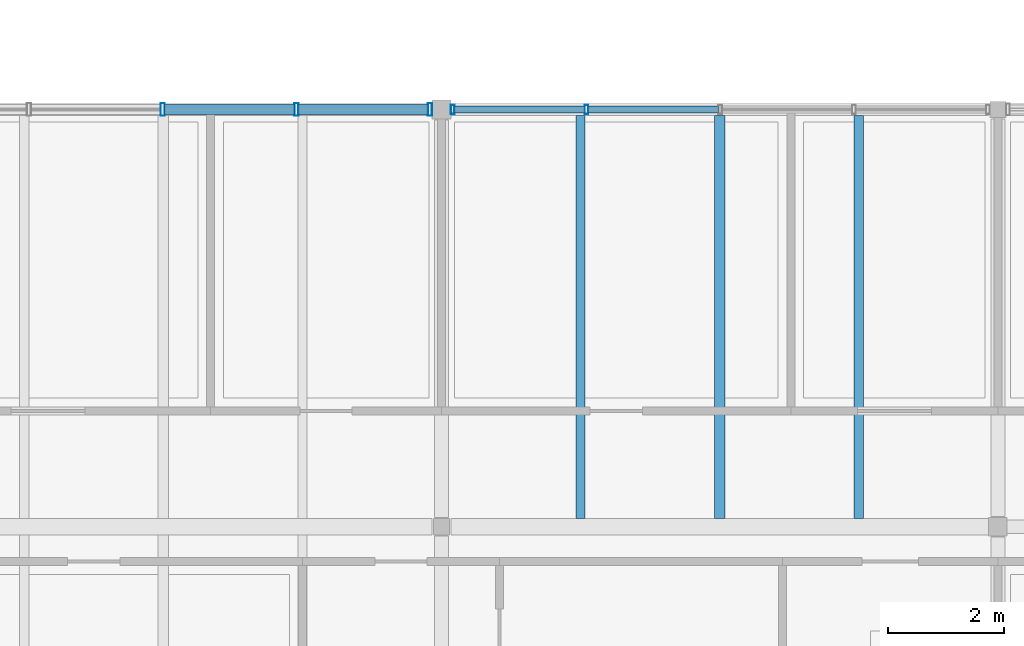
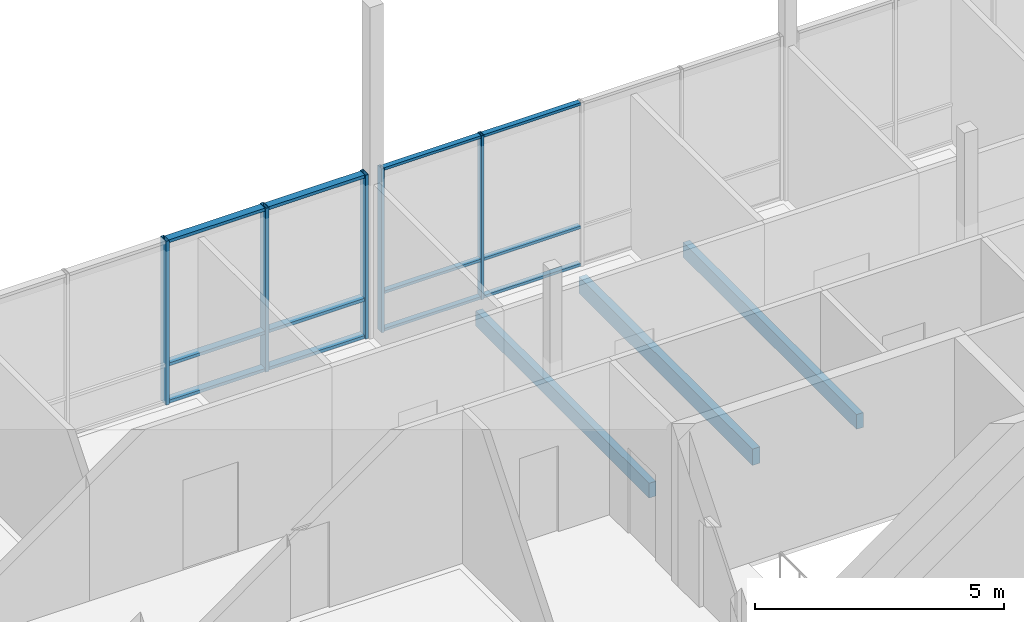
# One storey, part 23 of 57: 17 members, 3 beams, 2 elements without a shape of their own.
"""IFC4 building model written with IfcOpenShell, lengths in metres."""

from ifc_helpers import new_model, si_unit, direction, frame, origin, origin_2d, place, context, subcontext, project, spatial, rectangle, hollow_rectangle, extrude, material, material_profile, profile_set, type_object, element, aggregate, save


model = new_model("IFC4")

# Units and contexts
model_context = context("Model", 3, precision=1e-05, world=origin(), true_north=direction((0.0, 1.0)))
body_context = subcontext(model_context, "Body", "Model", "MODEL_VIEW")
ifc_project = project(units=[si_unit("LENGTHUNIT", "METRE"), si_unit("AREAUNIT", "SQUARE_METRE"), si_unit("VOLUMEUNIT", "CUBIC_METRE"), si_unit("PLANEANGLEUNIT", "RADIAN"), si_unit("MASSUNIT", "GRAM", prefix="KILO")], contexts=[model_context])

# Site, building, storey
site_placement = place(None, origin())
site = spatial("IfcSite", under=ifc_project, at=site_placement, CompositionType="ELEMENT")
building_placement = place(site_placement, origin())
building = spatial("IfcBuilding", under=site, at=building_placement, Name="Hawrajan Terrace Health Centre", CompositionType="ELEMENT")
storey_placement = place(building_placement, frame((0.0, 0.0, 13.199951171875)))
storey = spatial("IfcBuildingStorey", under=building, at=storey_placement, Name="L03", CompositionType="ELEMENT", Elevation=13.199951171875)

# Curtain wall, members
ifc_material_1 = material(Name="Anodized bronze aluminium and low-E solar glazing", Category="aluminium")
curtain_wall_type_1 = type_object("IfcCurtainWallType", Name="CW_Court_SeriesA3", PredefinedType="USERDEFINED", material=ifc_material_1)
curtain_wall_1_placement = place(storey_placement, origin())
curtain_wall_1 = element("IfcCurtainWall", 1, at=curtain_wall_1_placement, inside=storey, type_object=curtain_wall_type_1, Name="Curtain wall CW-L03-171", ObjectType="UNITISED CURTAIN WALL", PredefinedType="USERDEFINED")
ifc_material_2 = material(Name="Anodized bronze aluminium 6063-T6", Category="aluminium")
ifc_material_profile_1 = material_profile(ifc_material_2, hollow_rectangle(XDim=0.06494140625, YDim=0.159912109375, WallThickness=0.00390625, at=origin_2d()), Name="CW MUL 65x160")
ifc_profile_set_1 = profile_set([ifc_material_profile_1], Name="Anodized bronze aluminium 6063-T6")
member_type_1 = type_object("IfcMemberType", Name="CWMullion_65x160", PredefinedType="MULLION", material=ifc_profile_set_1)
member_1_placement = place(storey_placement, frame((91.1923828125, 18.60009765625, -0.0048828125), z_axis=(0.0, 0.0, 1.0), x_axis=(1.0, 0.0, 0.0)))
member_1 = element("IfcMember", 2, at=member_1_placement, type_object=member_type_1, Name="Mullion CW-L03-171-M1", PredefinedType="MULLION", context=body_context, shape_type="SweptSolid", body=[
    extrude(hollow_rectangle(XDim=0.06494140625, YDim=0.159912109375, WallThickness=0.00390625, at=origin_2d()), origin(), (0.0, 0.0, 1.0), 4.010009765625),
])
member_2_placement = place(storey_placement, frame((93.501220703125, 18.60009765625, -0.0048828125), z_axis=(0.0, 0.0, 1.0), x_axis=(1.0, 0.0, 0.0)))
member_2 = element("IfcMember", 3, at=member_2_placement, type_object=member_type_1, Name="Mullion CW-L03-171-M2", PredefinedType="MULLION", context=body_context, shape_type="SweptSolid", body=[
    extrude(hollow_rectangle(XDim=0.06494140625, YDim=0.159912109375, WallThickness=0.00390625, at=origin_2d()), origin(), (0.0, 0.0, 1.0), 4.010009765625),
])

curtain_wall_type_2 = type_object("IfcCurtainWallType", Name="CW_Court_SeriesA2", PredefinedType="USERDEFINED", material=ifc_material_1)
curtain_wall_2_placement = place(storey_placement, origin())
curtain_wall_2 = element("IfcCurtainWall", 4, at=curtain_wall_2_placement, inside=storey, type_object=curtain_wall_type_2, Name="Curtain wall CW-L03-170", ObjectType="UNITISED CURTAIN WALL", PredefinedType="USERDEFINED")
ifc_material_profile_2 = material_profile(ifc_material_2, hollow_rectangle(XDim=0.074951171875, YDim=0.219970703125, WallThickness=0.0048828125, at=origin_2d()), Name="CW MUL 75x220")
ifc_profile_set_2 = profile_set([ifc_material_profile_2], Name="Anodized bronze aluminium 6063-T6")
member_type_2 = type_object("IfcMemberType", Name="CWMullion_75x220", PredefinedType="MULLION", material=ifc_profile_set_2)
member_3_placement = place(storey_placement, frame((86.18994140625, 18.60009765625, -0.0048828125), z_axis=(0.0, 0.0, 1.0), x_axis=(1.0, 0.0, 0.0)))
member_3 = element("IfcMember", 5, at=member_3_placement, type_object=member_type_2, Name="Mullion CW-L03-170-M3", PredefinedType="MULLION", context=body_context, shape_type="SweptSolid", body=[
    extrude(hollow_rectangle(XDim=0.074951171875, YDim=0.219970703125, WallThickness=0.0048828125, at=origin_2d()), origin(), (0.0, 0.0, 1.0), 4.010009765625),
])
member_4_placement = place(storey_placement, frame((88.496337890625, 18.60009765625, -0.0048828125), z_axis=(0.0, 0.0, 1.0), x_axis=(1.0, 0.0, 0.0)))
member_4 = element("IfcMember", 6, at=member_4_placement, type_object=member_type_2, Name="Mullion CW-L03-170-M4", PredefinedType="MULLION", context=body_context, shape_type="SweptSolid", body=[
    extrude(hollow_rectangle(XDim=0.074951171875, YDim=0.219970703125, WallThickness=0.0048828125, at=origin_2d()), origin(), (0.0, 0.0, 1.0), 4.010009765625),
])
member_5_placement = place(storey_placement, frame((90.802490234375, 18.60009765625, -0.0048828125), z_axis=(0.0, 0.0, 1.0), x_axis=(1.0, 0.0, 0.0)))
member_5 = element("IfcMember", 7, at=member_5_placement, type_object=member_type_2, Name="Mullion CW-L03-170-M5", PredefinedType="MULLION", context=body_context, shape_type="SweptSolid", body=[
    extrude(hollow_rectangle(XDim=0.074951171875, YDim=0.219970703125, WallThickness=0.0048828125, at=origin_2d()), origin(), (0.0, 0.0, 1.0), 4.010009765625),
])

# Member
ifc_material_profile_3 = material_profile(ifc_material_2, hollow_rectangle(XDim=0.06494140625, YDim=0.1201171875, WallThickness=0.00341796875, at=origin_2d()), Name="CW TRN 65x120")
ifc_profile_set_3 = profile_set([ifc_material_profile_3], Name="Anodized bronze aluminium 6063-T6")
member_type_3 = type_object("IfcMemberType", Name="CWTransom_65x120", PredefinedType="USERDEFINED", material=ifc_profile_set_3)
member_6_placement = place(storey_placement, frame((91.218994140625, 18.60009765625, 0.032470703125), z_axis=(1.0, 0.0, 0.0), x_axis=(0.0, 0.0, 1.0)))
member_6 = element("IfcMember", 8, at=member_6_placement, type_object=member_type_3, Name="Transom CW-L03-171-T1-1", ObjectType="TRANSOM", PredefinedType="USERDEFINED", context=body_context, shape_type="SweptSolid", body=[
    extrude(hollow_rectangle(XDim=0.06494140625, YDim=0.1201171875, WallThickness=0.00341796875, at=origin_2d()), origin(), (0.0, 0.0, 1.0), 2.255859375),
])

member_7_placement = place(storey_placement, frame((91.218994140625, 18.60009765625, 0.949951171875), z_axis=(1.0, 0.0, 0.0), x_axis=(0.0, 0.0, 1.0)))
member_7 = element("IfcMember", 9, at=member_7_placement, type_object=member_type_3, Name="Transom CW-L03-171-T1-2", ObjectType="TRANSOM", PredefinedType="USERDEFINED", context=body_context, shape_type="SweptSolid", body=[
    extrude(hollow_rectangle(XDim=0.06494140625, YDim=0.1201171875, WallThickness=0.00341796875, at=origin_2d()), origin(), (0.0, 0.0, 1.0), 2.255859375),
])

member_8_placement = place(storey_placement, frame((91.218994140625, 18.60009765625, 3.967529296875), z_axis=(1.0, 0.0, 0.0), x_axis=(0.0, 0.0, 1.0)))
member_8 = element("IfcMember", 10, at=member_8_placement, type_object=member_type_3, Name="Transom CW-L03-171-T1-3", ObjectType="TRANSOM", PredefinedType="USERDEFINED", context=body_context, shape_type="SweptSolid", body=[
    extrude(hollow_rectangle(XDim=0.06494140625, YDim=0.1201171875, WallThickness=0.00341796875, at=origin_2d()), origin(), (0.0, 0.0, 1.0), 2.255859375),
])

member_9_placement = place(storey_placement, frame((93.527587890625, 18.60009765625, 0.032470703125), z_axis=(1.0, 0.0, 0.0), x_axis=(0.0, 0.0, 1.0)))
member_9 = element("IfcMember", 11, at=member_9_placement, type_object=member_type_3, Name="Transom CW-L03-171-T2-1", ObjectType="TRANSOM", PredefinedType="USERDEFINED", context=body_context, shape_type="SweptSolid", body=[
    extrude(hollow_rectangle(XDim=0.06494140625, YDim=0.1201171875, WallThickness=0.00341796875, at=origin_2d()), origin(), (0.0, 0.0, 1.0), 2.255859375),
])

member_10_placement = place(storey_placement, frame((93.527587890625, 18.60009765625, 0.949951171875), z_axis=(1.0, 0.0, 0.0), x_axis=(0.0, 0.0, 1.0)))
member_10 = element("IfcMember", 12, at=member_10_placement, type_object=member_type_3, Name="Transom CW-L03-171-T2-2", ObjectType="TRANSOM", PredefinedType="USERDEFINED", context=body_context, shape_type="SweptSolid", body=[
    extrude(hollow_rectangle(XDim=0.06494140625, YDim=0.1201171875, WallThickness=0.00341796875, at=origin_2d()), origin(), (0.0, 0.0, 1.0), 2.255859375),
])

member_11_placement = place(storey_placement, frame((93.527587890625, 18.60009765625, 3.967529296875), z_axis=(1.0, 0.0, 0.0), x_axis=(0.0, 0.0, 1.0)))
member_11 = element("IfcMember", 13, at=member_11_placement, type_object=member_type_3, Name="Transom CW-L03-171-T2-3", ObjectType="TRANSOM", PredefinedType="USERDEFINED", context=body_context, shape_type="SweptSolid", body=[
    extrude(hollow_rectangle(XDim=0.06494140625, YDim=0.1201171875, WallThickness=0.00341796875, at=origin_2d()), origin(), (0.0, 0.0, 1.0), 2.255859375),
])

aggregate(curtain_wall_1, [member_1, member_2, member_6, member_7, member_8, member_9, member_10, member_11])

ifc_material_profile_4 = material_profile(ifc_material_2, hollow_rectangle(XDim=0.074951171875, YDim=0.169921875, WallThickness=0.00439453125, at=origin_2d()), Name="CW TRN 75x170")
ifc_profile_set_4 = profile_set([ifc_material_profile_4], Name="Anodized bronze aluminium 6063-T6")
member_type_4 = type_object("IfcMemberType", Name="CWTransom_75x170", PredefinedType="USERDEFINED", material=ifc_profile_set_4)
member_12_placement = place(storey_placement, frame((86.221435546875, 18.60009765625, 0.03759765625), z_axis=(1.0, 0.0, 0.0), x_axis=(0.0, 0.0, 1.0)))
member_12 = element("IfcMember", 14, at=member_12_placement, type_object=member_type_4, Name="Transom CW-L03-170-T3-1", ObjectType="TRANSOM", PredefinedType="USERDEFINED", context=body_context, shape_type="SweptSolid", body=[
    extrude(hollow_rectangle(XDim=0.074951171875, YDim=0.169921875, WallThickness=0.00439453125, at=origin_2d()), origin(), (0.0, 0.0, 1.0), 2.243408203125),
])

member_13_placement = place(storey_placement, frame((86.221435546875, 18.60009765625, 0.949951171875), z_axis=(1.0, 0.0, 0.0), x_axis=(0.0, 0.0, 1.0)))
member_13 = element("IfcMember", 15, at=member_13_placement, type_object=member_type_4, Name="Transom CW-L03-170-T3-2", ObjectType="TRANSOM", PredefinedType="USERDEFINED", context=body_context, shape_type="SweptSolid", body=[
    extrude(hollow_rectangle(XDim=0.074951171875, YDim=0.169921875, WallThickness=0.00439453125, at=origin_2d()), origin(), (0.0, 0.0, 1.0), 2.243408203125),
])

member_14_placement = place(storey_placement, frame((86.221435546875, 18.60009765625, 3.962646484375), z_axis=(1.0, 0.0, 0.0), x_axis=(0.0, 0.0, 1.0)))
member_14 = element("IfcMember", 16, at=member_14_placement, type_object=member_type_4, Name="Transom CW-L03-170-T3-3", ObjectType="TRANSOM", PredefinedType="USERDEFINED", context=body_context, shape_type="SweptSolid", body=[
    extrude(hollow_rectangle(XDim=0.074951171875, YDim=0.169921875, WallThickness=0.00439453125, at=origin_2d()), origin(), (0.0, 0.0, 1.0), 2.243408203125),
])

member_15_placement = place(storey_placement, frame((88.527587890625, 18.60009765625, 0.03759765625), z_axis=(1.0, 0.0, 0.0), x_axis=(0.0, 0.0, 1.0)))
member_15 = element("IfcMember", 17, at=member_15_placement, type_object=member_type_4, Name="Transom CW-L03-170-T4-1", ObjectType="TRANSOM", PredefinedType="USERDEFINED", context=body_context, shape_type="SweptSolid", body=[
    extrude(hollow_rectangle(XDim=0.074951171875, YDim=0.169921875, WallThickness=0.00439453125, at=origin_2d()), origin(), (0.0, 0.0, 1.0), 2.243408203125),
])

member_16_placement = place(storey_placement, frame((88.527587890625, 18.60009765625, 0.949951171875), z_axis=(1.0, 0.0, 0.0), x_axis=(0.0, 0.0, 1.0)))
member_16 = element("IfcMember", 18, at=member_16_placement, type_object=member_type_4, Name="Transom CW-L03-170-T4-2", ObjectType="TRANSOM", PredefinedType="USERDEFINED", context=body_context, shape_type="SweptSolid", body=[
    extrude(hollow_rectangle(XDim=0.074951171875, YDim=0.169921875, WallThickness=0.00439453125, at=origin_2d()), origin(), (0.0, 0.0, 1.0), 2.243408203125),
])

member_17_placement = place(storey_placement, frame((88.527587890625, 18.60009765625, 3.962646484375), z_axis=(1.0, 0.0, 0.0), x_axis=(0.0, 0.0, 1.0)))
member_17 = element("IfcMember", 19, at=member_17_placement, type_object=member_type_4, Name="Transom CW-L03-170-T4-3", ObjectType="TRANSOM", PredefinedType="USERDEFINED", context=body_context, shape_type="SweptSolid", body=[
    extrude(hollow_rectangle(XDim=0.074951171875, YDim=0.169921875, WallThickness=0.00439453125, at=origin_2d()), origin(), (0.0, 0.0, 1.0), 2.243408203125),
])

aggregate(curtain_wall_2, [member_3, member_4, member_5, member_12, member_13, member_14, member_15, member_16, member_17])

# Beams
ifc_material_3 = material(Name="Glulam GL28h", Category="wood")
ifc_material_profile_5 = material_profile(ifc_material_3, rectangle(XDim=0.159912109375, YDim=0.360107421875, at=origin_2d()), Name="GL JST 160x360")
ifc_profile_set_5 = profile_set([ifc_material_profile_5], Name="Glulam GL28h")
beam_type_1 = type_object("IfcBeamType", Name="GlulamJoist_160x360", PredefinedType="JOIST", material=ifc_profile_set_5)
for number, where, z_axis, x_axis, name in (
    (20, (93.39990234375, 11.5400390625, -0.389892578125), (0.0, 1.0, 0.0), (-1.0, 0.0, 0.0), "Secondary joist JST-L03-C-12-2-1"),
    (21, (98.199951171875, 11.5400390625, -0.389892578125), (0.0, 1.0, 0.0), (-1.0, 0.0, 0.0), "Secondary joist JST-L03-C-12-2-3"),
):
    element("IfcBeam", number, at=place(storey_placement, frame(where, z_axis=z_axis, x_axis=x_axis)), inside=storey, type_object=beam_type_1, Name=name, PredefinedType="JOIST", context=body_context, shape_type="SweptSolid", body=[
        extrude(rectangle(XDim=0.159912109375, YDim=0.360107421875, at=origin_2d()), origin(), (0.0, 0.0, 1.0), 6.9599609375),
    ])
ifc_material_profile_6 = material_profile(ifc_material_3, rectangle(XDim=0.179931640625, YDim=0.39990234375, at=origin_2d()), Name="GL JST 180x400")
ifc_profile_set_6 = profile_set([ifc_material_profile_6], Name="Glulam GL28h")
beam_type_2 = type_object("IfcBeamType", Name="GlulamJoist_180x400", PredefinedType="JOIST", material=ifc_profile_set_6)
beam_placement = place(storey_placement, frame((95.800048828125, 11.5400390625, -0.409912109375), z_axis=(0.0, 1.0, 0.0), x_axis=(-1.0, 0.0, 0.0)))
element("IfcBeam", 22, at=beam_placement, inside=storey, type_object=beam_type_2, Name="Secondary joist JST-L03-C-12-2-2", PredefinedType="JOIST", context=body_context, shape_type="SweptSolid", body=[
    extrude(rectangle(XDim=0.179931640625, YDim=0.39990234375, at=origin_2d()), origin(), (0.0, 0.0, 1.0), 6.9599609375),
])

save(model, "model.ifc")
